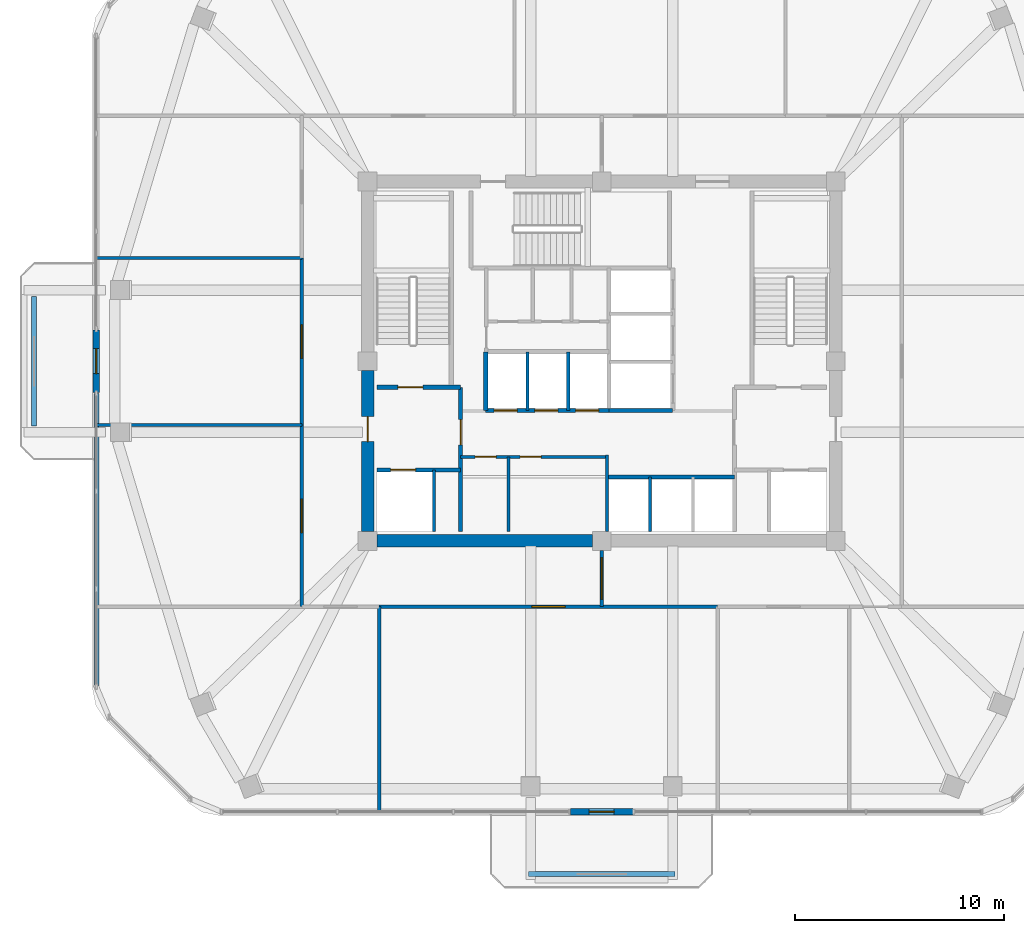
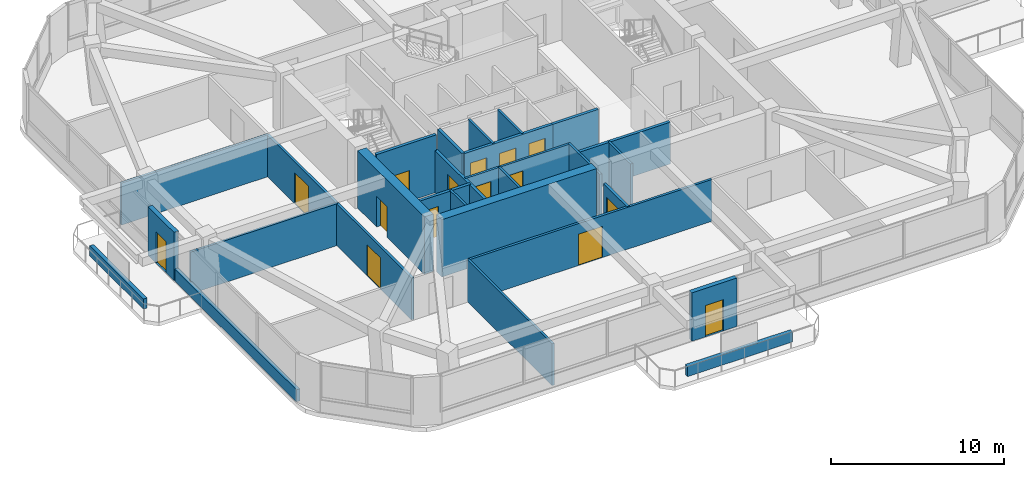
# One storey, part 7 of 13: 28 walls, 15 doors, 15 openings.
"""IFC4 building model written with IfcOpenShell, lengths in metres."""

from ifc_helpers import new_model, si_unit, derived_unit, direction, frame, frame_2d, origin, place, context, subcontext, project, spatial, rectangle, extrude, material, layer, layer_set, type_object, element, fill, save


model = new_model("IFC4")

# Units and contexts
model_context = context("Model", 3, precision=1e-05, world=origin(), true_north=direction((0.0, 1.0)))
body_context = subcontext(model_context, "Body", "Model", "MODEL_VIEW")
ifc_project = project(units=[si_unit("LENGTHUNIT", "METRE"), si_unit("AREAUNIT", "SQUARE_METRE"), si_unit("VOLUMEUNIT", "CUBIC_METRE"), si_unit("PLANEANGLEUNIT", "RADIAN"), si_unit("MASSUNIT", "GRAM", prefix="KILO"), derived_unit("THERMALTRANSMITTANCEUNIT", [(si_unit("POWERUNIT", "WATT"), 1), (si_unit("LENGTHUNIT", "METRE"), -2), (si_unit("THERMODYNAMICTEMPERATUREUNIT", "KELVIN"), -1)])], contexts=[model_context])

# Site, building, storey
site_placement = place(None, origin())
site = spatial("IfcSite", under=ifc_project, at=site_placement, CompositionType="ELEMENT")
building_placement = place(site_placement, origin())
building = spatial("IfcBuilding", under=site, at=building_placement, Name="Koralith Skygarden Medical Center", CompositionType="ELEMENT")
storey_placement = place(building_placement, frame((0.0, 0.0, 188.4599609375)))
storey = spatial("IfcBuildingStorey", under=building, at=storey_placement, Name="L48", CompositionType="ELEMENT", Elevation=188.4599609375)

# Wall, openings, doors
ifc_material_1 = material(Name="Gypsum Board Partition")
ifc_layer_1 = layer(ifc_material_1, 0.14990234375)
ifc_layer_set_1 = layer_set([ifc_layer_1], Name="Gypsum Board Partition")
wall_type_1 = type_object("IfcWallType", Name="Clinical Acoustic Partition 150", PredefinedType="PARTITIONING", material=ifc_layer_set_1)
wall_1_placement = place(storey_placement, frame((30.25, 21.320068359375, 0.0), z_axis=(0.0, 0.0, 1.0), x_axis=(1.0, 0.0, 0.0)))
wall_1 = element("IfcWall", 1, at=wall_1_placement, inside=storey, type_object=wall_type_1, Name="L48 Clinical Acoustic Partition 150 W-CORE-L48-FREED-LR-N", PredefinedType="PARTITIONING", context=body_context, shape_type="SweptSolid", body=[
    extrude(rectangle(XDim=7.0, YDim=0.14990234375, at=frame_2d((3.5, 0.0))), origin(), (0.0, 0.0, 1.0), 2.949951171875),
])
opening_1_placement = place(wall_1_placement, frame((0.699951171875, 0.0, 0.0)))
opening_1 = element("IfcOpeningElement", 2, at=opening_1_placement, cuts=wall_1, Name="Opening D-SUP", PredefinedType="OPENING", context=body_context, shape_type="SweptSolid", body=[
    extrude(rectangle(XDim=1.0, YDim=2.14990234375, at=frame_2d((0.5, 1.074951171875))), frame((0.0, 0.0849609375, 0.0), z_axis=(0.0, -1.0, 0.0), x_axis=(1.0, 0.0, 0.0)), (0.0, 0.0, 1.0), 0.169921875),
])
opening_2_placement = place(wall_1_placement, frame((2.85009765625, 0.0, 0.0)))
opening_2 = element("IfcOpeningElement", 3, at=opening_2_placement, cuts=wall_1, Name="Opening D-SUP", PredefinedType="OPENING", context=body_context, shape_type="SweptSolid", body=[
    extrude(rectangle(XDim=1.0, YDim=2.14990234375, at=frame_2d((0.5, 1.074951171875))), frame((0.0, 0.0849609375, 0.0), z_axis=(0.0, -1.0, 0.0), x_axis=(1.0, 0.0, 0.0)), (0.0, 0.0, 1.0), 0.169921875),
])
ifc_material_2 = material(Name="Aluminium 6063-T6", Category="aluminium")
door_type_1 = type_object("IfcDoorType", Name="Clinical Support Door D-SUP 1000", OperationType="NOTDEFINED", PredefinedType="DOOR", material=ifc_material_2)
door_1_placement = place(opening_1_placement, frame((1.0, 0.0, 0.0), z_axis=(0.0, 0.0, 1.0), x_axis=(-1.0, 0.0, 0.0)))
door_1 = element("IfcDoor", 4, at=door_1_placement, inside=storey, type_object=door_type_1, Name="L48 Medication Preparation Door", OperationType="SINGLE_SWING_LEFT", OverallHeight=2.14990234375, OverallWidth=1.0, PredefinedType="DOOR", context=body_context, shape_type="SweptSolid", body=[
    extrude(rectangle(XDim=1.0, YDim=2.14990234375, at=frame_2d((0.5, 1.074951171875))), frame((0.0, 0.02490234375, 0.0), z_axis=(0.0, -1.0, 0.0), x_axis=(1.0, 0.0, 0.0)), (0.0, 0.0, 1.0), 0.050048828125),
])
fill(opening_1, door_1)
door_2_placement = place(opening_2_placement, frame((1.0, 0.0, 0.0), z_axis=(0.0, 0.0, 1.0), x_axis=(-1.0, 0.0, 0.0)))
door_2 = element("IfcDoor", 5, at=door_2_placement, inside=storey, type_object=door_type_1, Name="L48 Telemetry Room Door", OperationType="SINGLE_SWING_RIGHT", OverallHeight=2.14990234375, OverallWidth=1.0, PredefinedType="DOOR", context=body_context, shape_type="SweptSolid", body=[
    extrude(rectangle(XDim=1.0, YDim=2.14990234375, at=frame_2d((0.5, 1.074951171875))), frame((0.0, 0.02490234375, 0.0), z_axis=(0.0, -1.0, 0.0), x_axis=(1.0, 0.0, 0.0)), (0.0, 0.0, 1.0), 0.050048828125),
])
fill(opening_2, door_2)

# Walls
wall_2_placement = place(storey_placement, frame((32.550048828125, 17.75, 0.0), z_axis=(0.0, 0.0, 1.0), x_axis=(0.0, 1.0, 0.0)))
element("IfcWall", 6, at=wall_2_placement, inside=storey, type_object=wall_type_1, Name="L48 Clinical Acoustic Partition 150 W-CORE-L48-FREED-LR-M", PredefinedType="PARTITIONING", context=body_context, shape_type="SweptSolid", body=[
    extrude(rectangle(XDim=3.570068359375, YDim=0.14990234375, at=frame_2d((1.78515625, 0.0))), origin(), (0.0, 0.0, 1.0), 2.949951171875),
])
wall_3_placement = place(storey_placement, frame((26.35595703125, 14.14990234375, 0.0), z_axis=(0.0, 0.0, 1.0), x_axis=(0.0, -1.0, 0.0)))
element("IfcWall", 7, at=wall_3_placement, inside=storey, type_object=wall_type_1, Name="L48 Clinical Acoustic Partition 150 W-AMPART-L48-S-1", PredefinedType="PARTITIONING", context=body_context, shape_type="SweptSolid", body=[
    extrude(rectangle(XDim=9.785888671875, YDim=0.14990234375, at=frame_2d((4.89306640625, 0.0))), origin(), (0.0, 0.0, 1.0), 2.949951171875),
])
for number, where, z_axis, x_axis, name in (
    (8, (22.64990234375, 22.844970703125, 0.0), (0.0, 0.0, 1.0), (-1.0, 0.0, 0.0), "L48 Clinical Acoustic Partition 150 W-AMPART-L48-W-1"),
    (9, (22.64990234375, 30.8349609375, 0.0), (0.0, 0.0, 1.0), (-1.0, 0.0, 0.0), "L48 Clinical Acoustic Partition 150 W-AMPART-L48-W-2"),
):
    element("IfcWall", number, at=place(storey_placement, frame(where, z_axis=z_axis, x_axis=x_axis)), inside=storey, type_object=wall_type_1, Name=name, PredefinedType="PARTITIONING", context=body_context, shape_type="SweptSolid", body=[
        extrude(rectangle(XDim=9.809814453125, YDim=0.14990234375, at=frame_2d((4.90478515625, 0.0))), origin(), (0.0, 0.0, 1.0), 2.949951171875),
    ])

# Wall, opening, door
ifc_layer_2 = layer(ifc_material_1, 0.1650390625)
ifc_layer_set_2 = layer_set([ifc_layer_2], Name="Gypsum Board Partition")
wall_type_2 = type_object("IfcWallType", Name="Clinical Corridor Partition 165", PredefinedType="PARTITIONING", material=ifc_layer_set_2)
wall_4_placement = place(storey_placement, frame((26.35595703125, 14.14990234375, 0.0), z_axis=(0.0, 0.0, 1.0), x_axis=(1.0, 0.0, 0.0)))
wall_4 = element("IfcWall", 10, at=wall_4_placement, inside=storey, type_object=wall_type_2, Name="L48 Clinical Corridor Partition 165 W-AMCOR-L48-S-2", PredefinedType="PARTITIONING", context=body_context, shape_type="SweptSolid", body=[
    extrude(rectangle(XDim=16.197998046875, YDim=0.1650390625, at=frame_2d((8.09912109375, 0.0))), origin(), (0.0, 0.0, 1.0), 2.949951171875),
])
opening_3_placement = place(wall_4_placement, frame((7.299072265625, 0.0, 0.0)))
opening_3 = element("IfcOpeningElement", 11, at=opening_3_placement, cuts=wall_4, Name="Opening D-DBL", PredefinedType="OPENING", context=body_context, shape_type="SweptSolid", body=[
    extrude(rectangle(XDim=1.60009765625, YDim=2.199951171875, at=frame_2d((0.800048828125, 1.10009765625))), frame((0.0, 0.092529296875, 0.0), z_axis=(0.0, -1.0, 0.0), x_axis=(1.0, 0.0, 0.0)), (0.0, 0.0, 1.0), 0.18505859375),
])
door_type_2 = type_object("IfcDoorType", Name="Double Clinical Suite Door D-DBL 1600", OperationType="NOTDEFINED", PredefinedType="DOOR", material=ifc_material_2)
door_3_placement = place(opening_3_placement, frame((1.60009765625, 0.0, 0.0), z_axis=(0.0, 0.0, 1.0), x_axis=(-1.0, 0.0, 0.0)))
door_3 = element("IfcDoor", 12, at=door_3_placement, inside=storey, type_object=door_type_2, Name="L48 Patient and Family Sky-Garden Lounge South Door", OperationType="DOUBLE_DOOR_SINGLE_SWING", OverallHeight=2.199951171875, OverallWidth=1.60009765625, PredefinedType="DOOR", context=body_context, shape_type="SweptSolid", body=[
    extrude(rectangle(XDim=1.60009765625, YDim=2.199951171875, at=frame_2d((0.800048828125, 1.10009765625))), frame((0.0, 0.02490234375, 0.0), z_axis=(0.0, -1.0, 0.0), x_axis=(1.0, 0.0, 0.0)), (0.0, 0.0, 1.0), 0.050048828125),
])
fill(opening_3, door_3)

wall_5_placement = place(storey_placement, frame((22.64990234375, 14.14990234375, 0.0), z_axis=(0.0, 0.0, 1.0), x_axis=(0.0, 1.0, 0.0)))
wall_5 = element("IfcWall", 13, at=wall_5_placement, inside=storey, type_object=wall_type_2, Name="L48 Clinical Corridor Partition 165 W-AMCOR-L48-W-1", PredefinedType="PARTITIONING", context=body_context, shape_type="SweptSolid", body=[
    extrude(rectangle(XDim=8.695068359375, YDim=0.1650390625, at=frame_2d((4.34765625, 0.0))), origin(), (0.0, 0.0, 1.0), 2.949951171875),
])
opening_4_placement = place(wall_5_placement, frame((3.547119140625, 0.0, 0.0)))
opening_4 = element("IfcOpeningElement", 14, at=opening_4_placement, cuts=wall_5, Name="Opening D-DBL", PredefinedType="OPENING", context=body_context, shape_type="SweptSolid", body=[
    extrude(rectangle(XDim=1.60009765625, YDim=2.199951171875, at=frame_2d((0.800048828125, 1.10009765625))), frame((0.0, 0.092529296875, 0.0), z_axis=(0.0, -1.0, 0.0), x_axis=(1.0, 0.0, 0.0)), (0.0, 0.0, 1.0), 0.18505859375),
])
door_4_placement = place(opening_4_placement, frame((1.60009765625, 0.0, 0.0), z_axis=(0.0, 0.0, 1.0), x_axis=(-1.0, 0.0, 0.0)))
door_4 = element("IfcDoor", 15, at=door_4_placement, inside=storey, type_object=door_type_2, Name="L48 Neurological Rehabilitation Exam Room Door", OperationType="DOUBLE_DOOR_SINGLE_SWING", OverallHeight=2.199951171875, OverallWidth=1.60009765625, PredefinedType="DOOR", context=body_context, shape_type="SweptSolid", body=[
    extrude(rectangle(XDim=1.60009765625, YDim=2.199951171875, at=frame_2d((0.800048828125, 1.10009765625))), frame((0.0, 0.02490234375, 0.0), z_axis=(0.0, -1.0, 0.0), x_axis=(1.0, 0.0, 0.0)), (0.0, 0.0, 1.0), 0.050048828125),
])
fill(opening_4, door_4)

wall_6_placement = place(storey_placement, frame((22.64990234375, 22.844970703125, 0.0), z_axis=(0.0, 0.0, 1.0), x_axis=(0.0, 1.0, 0.0)))
wall_6 = element("IfcWall", 16, at=wall_6_placement, inside=storey, type_object=wall_type_2, Name="L48 Clinical Corridor Partition 165 W-AMCOR-L48-W-2", PredefinedType="PARTITIONING", context=body_context, shape_type="SweptSolid", body=[
    extrude(rectangle(XDim=7.989990234375, YDim=0.1650390625, at=frame_2d((3.9951171875, 0.0))), origin(), (0.0, 0.0, 1.0), 2.949951171875),
])
opening_5_placement = place(wall_6_placement, frame((3.195068359375, 0.0, 0.0)))
opening_5 = element("IfcOpeningElement", 17, at=opening_5_placement, cuts=wall_6, Name="Opening D-DBL", PredefinedType="OPENING", context=body_context, shape_type="SweptSolid", body=[
    extrude(rectangle(XDim=1.60009765625, YDim=2.199951171875, at=frame_2d((0.800048828125, 1.10009765625))), frame((0.0, 0.092529296875, 0.0), z_axis=(0.0, -1.0, 0.0), x_axis=(1.0, 0.0, 0.0)), (0.0, 0.0, 1.0), 0.18505859375),
])
door_5_placement = place(opening_5_placement, frame((1.60009765625, 0.0, 0.0), z_axis=(0.0, 0.0, 1.0), x_axis=(-1.0, 0.0, 0.0)))
door_5 = element("IfcDoor", 18, at=door_5_placement, inside=storey, type_object=door_type_2, Name="L48 Patient Sky-Garden Day Lounge West Door", OperationType="DOUBLE_DOOR_SINGLE_SWING", OverallHeight=2.199951171875, OverallWidth=1.60009765625, PredefinedType="DOOR", context=body_context, shape_type="SweptSolid", body=[
    extrude(rectangle(XDim=1.60009765625, YDim=2.199951171875, at=frame_2d((0.800048828125, 1.10009765625))), frame((0.0, 0.02490234375, 0.0), z_axis=(0.0, -1.0, 0.0), x_axis=(1.0, 0.0, 0.0)), (0.0, 0.0, 1.0), 0.050048828125),
])
fill(opening_5, door_5)

ifc_layer_3 = layer(ifc_material_1, 0.199951171875)
ifc_layer_set_3 = layer_set([ifc_layer_3], Name="Gypsum Board Partition")
wall_type_3 = type_object("IfcWallType", Name="Fire Shaft Wall 200", PredefinedType="SOLIDWALL", material=ifc_layer_set_3)
wall_7_placement = place(storey_placement, frame((26.25, 20.699951171875, 0.0), z_axis=(0.0, 0.0, 1.0), x_axis=(1.0, 0.0, 0.0)))
wall_7 = element("IfcWall", 19, at=wall_7_placement, inside=storey, type_object=wall_type_3, Name="L48 Fire Shaft Wall 200 W-CORE-L48-FF1-N", PredefinedType="SOLIDWALL", context=body_context, shape_type="SweptSolid", body=[
    extrude(rectangle(XDim=4.0, YDim=0.199951171875, at=frame_2d((2.0, 0.0))), origin(), (0.0, 0.0, 1.0), 2.949951171875),
])
opening_6_placement = place(wall_7_placement, frame((0.64990234375, 0.0, 0.0)))
opening_6 = element("IfcOpeningElement", 20, at=opening_6_placement, cuts=wall_7, Name="Opening LD-FF", PredefinedType="OPENING", context=body_context, shape_type="SweptSolid", body=[
    extrude(rectangle(XDim=1.199951171875, YDim=2.14990234375, at=frame_2d((0.60009765625, 1.074951171875))), frame((0.0, 0.10986328125, 0.0), z_axis=(0.0, -1.0, 0.0), x_axis=(1.0, 0.0, 0.0)), (0.0, 0.0, 1.0), 0.219970703125),
])
ifc_material_3 = material(Name="Steel ASTM A500 Grade C", Category="steel")
door_type_3 = type_object("IfcDoorType", Name="Fire Lift Sliding Landing Door LD-FF 1200", OperationType="NOTDEFINED", PredefinedType="DOOR", material=ifc_material_3)
door_6_placement = place(opening_6_placement, origin())
door_6 = element("IfcDoor", 21, at=door_6_placement, inside=storey, type_object=door_type_3, Name="L48 Fire Service Elevator FF1 Landing Door", OperationType="SLIDING_TO_LEFT", OverallHeight=2.14990234375, OverallWidth=1.199951171875, PredefinedType="DOOR", context=body_context, shape_type="SweptSolid", body=[
    extrude(rectangle(XDim=1.199951171875, YDim=2.14990234375, at=frame_2d((0.60009765625, 1.074951171875))), frame((0.0, 0.02490234375, 0.0), z_axis=(0.0, -1.0, 0.0), x_axis=(1.0, 0.0, 0.0)), (0.0, 0.0, 1.0), 0.050048828125),
])
fill(opening_6, door_6)

wall_8_placement = place(storey_placement, frame((30.25, 17.75, 0.0), z_axis=(0.0, 0.0, 1.0), x_axis=(0.0, 1.0, 0.0)))
wall_8 = element("IfcWall", 22, at=wall_8_placement, inside=storey, type_object=wall_type_3, Name="L48 Fire Shaft Wall 200 W-CORE-L48-FSAEW-E", PredefinedType="SOLIDWALL", context=body_context, shape_type="SweptSolid", body=[
    extrude(rectangle(XDim=6.89990234375, YDim=0.199951171875, at=frame_2d((3.449951171875, 0.0))), origin(), (0.0, 0.0, 1.0), 2.949951171875),
])
opening_7_placement = place(wall_8_placement, frame((4.14990234375, 0.0, 0.0)))
opening_7 = element("IfcOpeningElement", 23, at=opening_7_placement, cuts=wall_8, Name="Opening D-ST60", PredefinedType="OPENING", context=body_context, shape_type="SweptSolid", body=[
    extrude(rectangle(XDim=1.199951171875, YDim=2.14990234375, at=frame_2d((0.60009765625, 1.074951171875))), frame((0.0, 0.10986328125, 0.0), z_axis=(0.0, -1.0, 0.0), x_axis=(1.0, 0.0, 0.0)), (0.0, 0.0, 1.0), 0.219970703125),
])
door_type_4 = type_object("IfcDoorType", Name="Smokeproof Stair Fire Door FD60S 1200", OperationType="NOTDEFINED", PredefinedType="DOOR", material=ifc_material_3)
door_7_placement = place(opening_7_placement, origin())
door_7 = element("IfcDoor", 24, at=door_7_placement, inside=storey, type_object=door_type_4, Name="L48 West Firefighting Lobby Inner Fire Door", OperationType="SINGLE_SWING_LEFT", OverallHeight=2.14990234375, OverallWidth=1.199951171875, PredefinedType="DOOR", context=body_context, shape_type="SweptSolid", body=[
    extrude(rectangle(XDim=1.199951171875, YDim=2.14990234375, at=frame_2d((0.60009765625, 1.074951171875))), frame((0.0, 0.02490234375, 0.0), z_axis=(0.0, -1.0, 0.0), x_axis=(1.0, 0.0, 0.0)), (0.0, 0.0, 1.0), 0.050048828125),
])
fill(opening_7, door_7)

# Wall
wall_9_placement = place(storey_placement, frame((37.25, 20.360107421875, 0.0), z_axis=(0.0, 0.0, 1.0), x_axis=(1.0, 0.0, 0.0)))
element("IfcWall", 25, at=wall_9_placement, inside=storey, type_object=wall_type_3, Name="L48 Fire Shaft Wall 200 W-CORE-L48-PM-N", PredefinedType="SOLIDWALL", context=body_context, shape_type="SweptSolid", body=[
    extrude(rectangle(XDim=6.10009765625, YDim=0.199951171875, at=frame_2d((3.050048828125, 0.0))), origin(), (0.0, 0.0, 1.0), 2.949951171875),
])

# Wall, openings, doors
wall_10_placement = place(storey_placement, frame((31.449951171875, 23.5400390625, 0.0), z_axis=(0.0, 0.0, 1.0), x_axis=(1.0, 0.0, 0.0)))
wall_10 = element("IfcWall", 26, at=wall_10_placement, inside=storey, type_object=wall_type_3, Name="L48 Fire Shaft Wall 200 W-CORE-L48-PH-S", PredefinedType="SOLIDWALL", context=body_context, shape_type="SweptSolid", body=[
    extrude(rectangle(XDim=5.900146484375, YDim=0.199951171875, at=frame_2d((2.9501953125, 0.0))), origin(), (0.0, 0.0, 1.0), 2.949951171875),
])
opening_8_placement = place(wall_10_placement, frame((0.39990234375, 0.0, 0.0)))
opening_8 = element("IfcOpeningElement", 27, at=opening_8_placement, cuts=wall_10, Name="Opening LD-P", PredefinedType="OPENING", context=body_context, shape_type="SweptSolid", body=[
    extrude(rectangle(XDim=1.10009765625, YDim=2.14990234375, at=frame_2d((0.550048828125, 1.074951171875))), frame((0.0, 0.10986328125, 0.0), z_axis=(0.0, -1.0, 0.0), x_axis=(1.0, 0.0, 0.0)), (0.0, 0.0, 1.0), 0.219970703125),
])
opening_9_placement = place(wall_10_placement, frame((2.35009765625, 0.0, 0.0)))
opening_9 = element("IfcOpeningElement", 28, at=opening_9_placement, cuts=wall_10, Name="Opening LD-P", PredefinedType="OPENING", context=body_context, shape_type="SweptSolid", body=[
    extrude(rectangle(XDim=1.10009765625, YDim=2.14990234375, at=frame_2d((0.550048828125, 1.074951171875))), frame((0.0, 0.10986328125, 0.0), z_axis=(0.0, -1.0, 0.0), x_axis=(1.0, 0.0, 0.0)), (0.0, 0.0, 1.0), 0.219970703125),
])
opening_10_placement = place(wall_10_placement, frame((4.300048828125, 0.0, 0.0)))
opening_10 = element("IfcOpeningElement", 29, at=opening_10_placement, cuts=wall_10, Name="Opening LD-P", PredefinedType="OPENING", context=body_context, shape_type="SweptSolid", body=[
    extrude(rectangle(XDim=1.10009765625, YDim=2.14990234375, at=frame_2d((0.550048828125, 1.074951171875))), frame((0.0, 0.10986328125, 0.0), z_axis=(0.0, -1.0, 0.0), x_axis=(1.0, 0.0, 0.0)), (0.0, 0.0, 1.0), 0.219970703125),
])
door_type_5 = type_object("IfcDoorType", Name="Passenger Lift Sliding Landing Door LD-P 1100", OperationType="NOTDEFINED", PredefinedType="DOOR", material=ifc_material_3)
door_8_placement = place(opening_8_placement, origin())
door_8 = element("IfcDoor", 30, at=door_8_placement, inside=storey, type_object=door_type_5, Name="L48 Passenger Elevator PH1 Landing Door", OperationType="SLIDING_TO_RIGHT", OverallHeight=2.14990234375, OverallWidth=1.10009765625, PredefinedType="DOOR", context=body_context, shape_type="SweptSolid", body=[
    extrude(rectangle(XDim=1.10009765625, YDim=2.14990234375, at=frame_2d((0.550048828125, 1.074951171875))), frame((0.0, 0.02490234375, 0.0), z_axis=(0.0, -1.0, 0.0), x_axis=(1.0, 0.0, 0.0)), (0.0, 0.0, 1.0), 0.050048828125),
])
fill(opening_8, door_8)
door_9_placement = place(opening_9_placement, origin())
door_9 = element("IfcDoor", 31, at=door_9_placement, inside=storey, type_object=door_type_5, Name="L48 Passenger Elevator PH2 Landing Door", OperationType="SLIDING_TO_RIGHT", OverallHeight=2.14990234375, OverallWidth=1.10009765625, PredefinedType="DOOR", context=body_context, shape_type="SweptSolid", body=[
    extrude(rectangle(XDim=1.10009765625, YDim=2.14990234375, at=frame_2d((0.550048828125, 1.074951171875))), frame((0.0, 0.02490234375, 0.0), z_axis=(0.0, -1.0, 0.0), x_axis=(1.0, 0.0, 0.0)), (0.0, 0.0, 1.0), 0.050048828125),
])
fill(opening_9, door_9)
door_10_placement = place(opening_10_placement, origin())
door_10 = element("IfcDoor", 32, at=door_10_placement, inside=storey, type_object=door_type_5, Name="L48 Passenger Elevator PH3 Landing Door", OperationType="SLIDING_TO_RIGHT", OverallHeight=2.14990234375, OverallWidth=1.10009765625, PredefinedType="DOOR", context=body_context, shape_type="SweptSolid", body=[
    extrude(rectangle(XDim=1.10009765625, YDim=2.14990234375, at=frame_2d((0.550048828125, 1.074951171875))), frame((0.0, 0.02490234375, 0.0), z_axis=(0.0, -1.0, 0.0), x_axis=(1.0, 0.0, 0.0)), (0.0, 0.0, 1.0), 0.050048828125),
])
fill(opening_10, door_10)

# Walls
wall_11_placement = place(storey_placement, frame((31.449951171875, 23.5400390625, 0.0), z_axis=(0.0, 0.0, 1.0), x_axis=(0.0, 1.0, 0.0)))
element("IfcWall", 33, at=wall_11_placement, inside=storey, type_object=wall_type_3, Name="L48 Fire Shaft Wall 200 W-CORE-L48-PH-W", PredefinedType="SOLIDWALL", context=body_context, shape_type="SweptSolid", body=[
    extrude(rectangle(XDim=2.81005859375, YDim=0.199951171875, at=frame_2d((1.405029296875, 0.0))), origin(), (0.0, 0.0, 1.0), 2.949951171875),
])
wall_12_placement = place(storey_placement, frame((37.35009765625, 23.5400390625, 0.0), z_axis=(0.0, 0.0, 1.0), x_axis=(1.0, 0.0, 0.0)))
element("IfcWall", 34, at=wall_12_placement, inside=storey, type_object=wall_type_3, Name="L48 Fire Shaft Wall 200 W-CORE-L48-SV-S", PredefinedType="SOLIDWALL", context=body_context, shape_type="SweptSolid", body=[
    extrude(rectangle(XDim=3.0498046875, YDim=0.199951171875, at=frame_2d((1.52490234375, 0.0))), origin(), (0.0, 0.0, 1.0), 2.949951171875),
])

# Wall, opening, door
ifc_layer_4 = layer(ifc_material_1, 0.179931640625)
ifc_layer_set_4 = layer_set([ifc_layer_4], Name="Gypsum Board Partition")
wall_type_4 = type_object("IfcWallType", Name="Group I-2 Smoke Barrier Wall 180", PredefinedType="PARTITIONING", material=ifc_layer_set_4)
wall_13_placement = place(storey_placement, frame((37.0, 14.14990234375, 0.0), z_axis=(0.0, 0.0, 1.0), x_axis=(0.0, 1.0, 0.0)))
wall_13 = element("IfcWall", 35, at=wall_13_placement, inside=storey, type_object=wall_type_4, Name="L48 Group I-2 Smoke Barrier Wall 180 W-SMK-L48-S", PredefinedType="PARTITIONING", context=body_context, shape_type="SweptSolid", body=[
    extrude(rectangle(XDim=2.7001953125, YDim=0.179931640625, at=frame_2d((1.35009765625, 0.0))), origin(), (0.0, 0.0, 1.0), 2.949951171875),
])
opening_11_placement = place(wall_13_placement, frame((0.35009765625, 0.0, 0.0)))
opening_11 = element("IfcOpeningElement", 36, at=opening_11_placement, cuts=wall_13, Name="Opening D-SMK", PredefinedType="OPENING", context=body_context, shape_type="SweptSolid", body=[
    extrude(rectangle(XDim=2.0, YDim=2.199951171875, at=frame_2d((1.0, 1.10009765625))), frame((0.0, 0.099853515625, 0.0), z_axis=(0.0, -1.0, 0.0), x_axis=(1.0, 0.0, 0.0)), (0.0, 0.0, 1.0), 0.199951171875),
])
door_type_6 = type_object("IfcDoorType", Name="Cross-Corridor Double Smoke Door FD60S 2000", OperationType="NOTDEFINED", PredefinedType="DOOR", material=ifc_material_3)
door_11_placement = place(opening_11_placement, frame((2.0, 0.0, 0.0), z_axis=(0.0, 0.0, 1.0), x_axis=(-1.0, 0.0, 0.0)))
door_11 = element("IfcDoor", 37, at=door_11_placement, inside=storey, type_object=door_type_6, Name="L48 S Smoke Compartment Cross-Corridor Door", OperationType="DOUBLE_DOOR_SINGLE_SWING", OverallHeight=2.199951171875, OverallWidth=2.0, PredefinedType="DOOR", context=body_context, shape_type="SweptSolid", body=[
    extrude(rectangle(XDim=2.0, YDim=2.199951171875, at=frame_2d((1.0, 1.10009765625))), frame((0.0, 0.02490234375, 0.0), z_axis=(0.0, -1.0, 0.0), x_axis=(1.0, 0.0, 0.0)), (0.0, 0.0, 1.0), 0.050048828125),
])
fill(opening_11, door_11)

# Wall
ifc_material_4 = material(Name="Warm Oolitic Limestone Cladding", Category="masonry")
ifc_layer_5 = layer(ifc_material_4, 0.239990234375)
ifc_layer_set_5 = layer_set([ifc_layer_5], Name="Warm Oolitic Limestone Cladding")
wall_type_5 = type_object("IfcWallType", Name="Limestone Spandrel Sill Backup Wall 240", PredefinedType="SOLIDWALL", material=ifc_layer_set_5)
wall_14_placement = place(storey_placement, frame((12.820068359375, 24.360107421875, 0.0), z_axis=(0.0, 0.0, 1.0), x_axis=(0.0, -1.0, 0.0)))
element("IfcWall", 38, at=wall_14_placement, inside=storey, type_object=wall_type_5, Name="L48 Sill Spandrel W-R", PredefinedType="SOLIDWALL", context=body_context, shape_type="SweptSolid", body=[
    extrude(rectangle(XDim=14.0400390625, YDim=0.239990234375, at=frame_2d((7.02001953125, 0.0))), origin(), (0.0, 0.0, 1.0), 0.85009765625),
])

# Wall, opening, door
ifc_layer_6 = layer(ifc_material_4, 0.300048828125)
ifc_layer_set_6 = layer_set([ifc_layer_6], Name="Warm Oolitic Limestone Cladding")
wall_type_6 = type_object("IfcWallType", Name="Oolitic Limestone Insulated Facade Wall 300", PredefinedType="SOLIDWALL", material=ifc_layer_set_6)
wall_15_placement = place(storey_placement, frame((35.5, 4.344970703125, 0.0), z_axis=(0.0, 0.0, 1.0), x_axis=(1.0, 0.0, 0.0)))
wall_15 = element("IfcWall", 39, at=wall_15_placement, inside=storey, type_object=wall_type_6, Name="L48 Terrace Portal Wall S", PredefinedType="SOLIDWALL", context=body_context, shape_type="SweptSolid", body=[
    extrude(rectangle(XDim=3.0, YDim=0.300048828125, at=frame_2d((1.5, 0.0))), origin(), (0.0, 0.0, 1.0), 3.41015625),
])
opening_12_placement = place(wall_15_placement, frame((0.89990234375, 0.0, 0.0)))
opening_12 = element("IfcOpeningElement", 40, at=opening_12_placement, cuts=wall_15, Name="Opening D-BAL", PredefinedType="OPENING", context=body_context, shape_type="SweptSolid", body=[
    extrude(rectangle(XDim=1.199951171875, YDim=2.199951171875, at=frame_2d((0.60009765625, 1.10009765625))), frame((0.0, 0.159912109375, 0.0), z_axis=(0.0, -1.0, 0.0), x_axis=(1.0, 0.0, 0.0)), (0.0, 0.0, 1.0), 0.320068359375),
])
door_type_7 = type_object("IfcDoorType", Name="Planted Balcony Glazed Terrace Door D-BAL 1200", OperationType="NOTDEFINED", PredefinedType="DOOR", material=ifc_material_2)
door_12_placement = place(opening_12_placement, origin())
door_12 = element("IfcDoor", 41, at=door_12_placement, inside=storey, type_object=door_type_7, Name="L48 S Outdoor Terrace Access Door", OperationType="SINGLE_SWING_LEFT", OverallHeight=2.199951171875, OverallWidth=1.199951171875, PredefinedType="DOOR", context=body_context, shape_type="SweptSolid", body=[
    extrude(rectangle(XDim=1.199951171875, YDim=2.199951171875, at=frame_2d((0.60009765625, 1.10009765625))), frame((0.0, 0.02490234375, 0.0), z_axis=(0.0, -1.0, 0.0), x_axis=(1.0, 0.0, 0.0)), (0.0, 0.0, 1.0), 0.050048828125),
])
fill(opening_12, door_12)

wall_16_placement = place(storey_placement, frame((12.820068359375, 27.39990234375, 0.0), z_axis=(0.0, 0.0, 1.0), x_axis=(0.0, -1.0, 0.0)))
wall_16 = element("IfcWall", 42, at=wall_16_placement, inside=storey, type_object=wall_type_6, Name="L48 Terrace Portal Wall W", PredefinedType="SOLIDWALL", context=body_context, shape_type="SweptSolid", body=[
    extrude(rectangle(XDim=3.0, YDim=0.300048828125, at=frame_2d((1.5, 0.0))), origin(), (0.0, 0.0, 1.0), 3.41015625),
])
opening_13_placement = place(wall_16_placement, frame((0.89990234375, 0.0, 0.0)))
opening_13 = element("IfcOpeningElement", 43, at=opening_13_placement, cuts=wall_16, Name="Opening D-BAL", PredefinedType="OPENING", context=body_context, shape_type="SweptSolid", body=[
    extrude(rectangle(XDim=1.199951171875, YDim=2.199951171875, at=frame_2d((0.60009765625, 1.10009765625))), frame((0.0, 0.159912109375, 0.0), z_axis=(0.0, -1.0, 0.0), x_axis=(1.0, 0.0, 0.0)), (0.0, 0.0, 1.0), 0.320068359375),
])
door_13_placement = place(opening_13_placement, origin())
door_13 = element("IfcDoor", 44, at=door_13_placement, inside=storey, type_object=door_type_7, Name="L48 W Outdoor Terrace Access Door", OperationType="SINGLE_SWING_LEFT", OverallHeight=2.199951171875, OverallWidth=1.199951171875, PredefinedType="DOOR", context=body_context, shape_type="SweptSolid", body=[
    extrude(rectangle(XDim=1.199951171875, YDim=2.199951171875, at=frame_2d((0.60009765625, 1.10009765625))), frame((0.0, 0.02490234375, 0.0), z_axis=(0.0, -1.0, 0.0), x_axis=(1.0, 0.0, 0.0)), (0.0, 0.0, 1.0), 0.050048828125),
])
fill(opening_13, door_13)

# Walls
ifc_layer_7 = layer(ifc_material_1, 0.14990234375)
ifc_layer_set_7 = layer_set([ifc_layer_7], Name="Gypsum Board Partition")
wall_type_7 = type_object("IfcWallType", Name="Shaft Partition Wall 150", PredefinedType="PARTITIONING", material=ifc_layer_set_7)
wall_17_placement = place(storey_placement, frame((28.969970703125, 17.75, 0.0), z_axis=(0.0, 0.0, 1.0), x_axis=(0.0, 1.0, 0.0)))
element("IfcWall", 45, at=wall_17_placement, inside=storey, type_object=wall_type_7, Name="L48 Shaft Partition Wall 150 W-CORE-L48-RSRW-DIV", PredefinedType="PARTITIONING", context=body_context, shape_type="SweptSolid", body=[
    extrude(rectangle(XDim=2.949951171875, YDim=0.14990234375, at=frame_2d((1.47509765625, 0.0))), origin(), (0.0, 0.0, 1.0), 2.949951171875),
])
wall_18_placement = place(storey_placement, frame((39.320068359375, 17.75, 0.0), z_axis=(0.0, 0.0, 1.0), x_axis=(0.0, 1.0, 0.0)))
element("IfcWall", 46, at=wall_18_placement, inside=storey, type_object=wall_type_7, Name="L48 Shaft Partition Wall 150 W-CORE-L48-PM-D1", PredefinedType="PARTITIONING", context=body_context, shape_type="SweptSolid", body=[
    extrude(rectangle(XDim=2.610107421875, YDim=0.14990234375, at=frame_2d((1.30517578125, 0.0))), origin(), (0.0, 0.0, 1.0), 2.949951171875),
])
wall_19_placement = place(storey_placement, frame((37.25, 17.75, 0.0), z_axis=(0.0, 0.0, 1.0), x_axis=(0.0, 1.0, 0.0)))
element("IfcWall", 47, at=wall_19_placement, inside=storey, type_object=wall_type_7, Name="L48 Shaft Partition Wall 150 W-CORE-L48-PL-PM-SEP", PredefinedType="PARTITIONING", context=body_context, shape_type="SweptSolid", body=[
    extrude(rectangle(XDim=3.64990234375, YDim=0.14990234375, at=frame_2d((1.824951171875, 0.0))), origin(), (0.0, 0.0, 1.0), 2.949951171875),
])
for number, where, z_axis, x_axis, name in (
    (48, (33.449951171875, 23.5400390625, 0.0), (0.0, 0.0, 1.0), (0.0, 1.0, 0.0), "L48 Shaft Partition Wall 150 W-CORE-L48-PH-D1"),
    (49, (35.39990234375, 23.5400390625, 0.0), (0.0, 0.0, 1.0), (0.0, 1.0, 0.0), "L48 Shaft Partition Wall 150 W-CORE-L48-PH-D2"),
):
    element("IfcWall", number, at=place(storey_placement, frame(where, z_axis=z_axis, x_axis=x_axis)), inside=storey, type_object=wall_type_7, Name=name, PredefinedType="PARTITIONING", context=body_context, shape_type="SweptSolid", body=[
        extrude(rectangle(XDim=2.81005859375, YDim=0.14990234375, at=frame_2d((1.405029296875, 0.0))), origin(), (0.0, 0.0, 1.0), 2.949951171875),
    ])
ifc_material_5 = material(Name="Precast concrete C40/50", Category="concrete")
ifc_layer_8 = layer(ifc_material_5, 0.25)
ifc_layer_set_8 = layer_set([ifc_layer_8], Name="Precast concrete C40/50")
wall_type_8 = type_object("IfcWallType", Name="Structural Concrete Balcony Planter Kerb 250", PredefinedType="PARAPET", material=ifc_layer_set_8)
wall_20_placement = place(storey_placement, frame((33.5, 1.364990234375, 0.0), z_axis=(0.0, 0.0, 1.0), x_axis=(1.0, 0.0, 0.0)))
element("IfcWall", 50, at=wall_20_placement, inside=storey, type_object=wall_type_8, Name="L48 S Structural Tree PLANTER Box", PredefinedType="PARAPET", context=body_context, shape_type="SweptSolid", body=[
    extrude(rectangle(XDim=7.0, YDim=0.25, at=frame_2d((3.5, 0.0))), origin(), (0.0, 0.0, 1.0), 0.719970703125),
])
wall_21_placement = place(storey_placement, frame((9.840087890625, 22.800048828125, 0.0), z_axis=(0.0, 0.0, 1.0), x_axis=(0.0, 1.0, 0.0)))
element("IfcWall", 51, at=wall_21_placement, inside=storey, type_object=wall_type_8, Name="L48 W Structural Tree PLANTER Box", PredefinedType="PARAPET", context=body_context, shape_type="SweptSolid", body=[
    extrude(rectangle(XDim=6.199951171875, YDim=0.25, at=frame_2d((3.10009765625, 0.0))), origin(), (0.0, 0.0, 1.0), 0.719970703125),
])

# Wall, opening, door
ifc_material_6 = material(Name="Concrete C45/55", Category="concrete")
ifc_layer_9 = layer(ifc_material_6, 0.199951171875)
ifc_layer_set_9 = layer_set([ifc_layer_9], Name="Concrete C45/55")
wall_type_9 = type_object("IfcWallType", Name="Structural Stair Shaft Wall 200", PredefinedType="SHEAR", material=ifc_layer_set_9)
wall_22_placement = place(storey_placement, frame((26.25, 24.64990234375, 0.0), z_axis=(0.0, 0.0, 1.0), x_axis=(1.0, 0.0, 0.0)))
wall_22 = element("IfcWall", 52, at=wall_22_placement, inside=storey, type_object=wall_type_9, Name="L48 Structural Stair Shaft Wall 200 W-CORE-L48-ST1-S", PredefinedType="SHEAR", context=body_context, shape_type="SweptSolid", body=[
    extrude(rectangle(XDim=4.0, YDim=0.199951171875, at=frame_2d((2.0, 0.0))), origin(), (0.0, 0.0, 1.0), 4.0400390625),
])
opening_14_placement = place(wall_22_placement, frame((1.0, 0.0, 0.0)))
opening_14 = element("IfcOpeningElement", 53, at=opening_14_placement, cuts=wall_22, Name="Opening D-ST60", PredefinedType="OPENING", context=body_context, shape_type="SweptSolid", body=[
    extrude(rectangle(XDim=1.199951171875, YDim=2.14990234375, at=frame_2d((0.60009765625, 1.074951171875))), frame((0.0, 0.10986328125, 0.0), z_axis=(0.0, -1.0, 0.0), x_axis=(1.0, 0.0, 0.0)), (0.0, 0.0, 1.0), 0.219970703125),
])
door_14_placement = place(opening_14_placement, origin())
door_14 = element("IfcDoor", 54, at=door_14_placement, inside=storey, type_object=door_type_4, Name="L48 Exit Stair ST1 Fire Door", OperationType="SINGLE_SWING_LEFT", OverallHeight=2.14990234375, OverallWidth=1.199951171875, PredefinedType="DOOR", context=body_context, shape_type="SweptSolid", body=[
    extrude(rectangle(XDim=1.199951171875, YDim=2.14990234375, at=frame_2d((0.60009765625, 1.074951171875))), frame((0.0, 0.02490234375, 0.0), z_axis=(0.0, -1.0, 0.0), x_axis=(1.0, 0.0, 0.0)), (0.0, 0.0, 1.0), 0.050048828125),
])
fill(opening_14, door_14)

# Wall
ifc_material_7 = material(Name="Concrete C55/67", Category="concrete")
ifc_layer_10 = layer(ifc_material_7, 0.60009765625)
ifc_layer_set_10 = layer_set([ifc_layer_10], Name="Concrete C55/67")
wall_type_10 = type_object("IfcWallType", Name="Upper Core Shear Wall 600", PredefinedType="SHEAR", material=ifc_layer_set_10)
wall_23_placement = place(storey_placement, frame((26.2451171875, 17.300048828125, 0.0), z_axis=(0.0, 0.0, 1.0), x_axis=(1.0, 0.0, 0.0)))
element("IfcWall", 55, at=wall_23_placement, inside=storey, type_object=wall_type_10, Name="L48 Core Shear Wall Segment 1", PredefinedType="SHEAR", context=body_context, shape_type="SweptSolid", body=[
    extrude(rectangle(XDim=10.309814453125, YDim=0.60009765625, at=frame_2d((5.15478515625, 0.0))), origin(), (0.0, 0.0, 1.0), 4.0400390625),
])

# Wall, opening, door
wall_24_placement = place(storey_placement, frame((25.800048828125, 25.455078125, 0.0), z_axis=(0.0, 0.0, 1.0), x_axis=(0.0, -1.0, 0.0)))
wall_24 = element("IfcWall", 56, at=wall_24_placement, inside=storey, type_object=wall_type_10, Name="L48 Core Shear Wall Segment 8", PredefinedType="SHEAR", context=body_context, shape_type="SweptSolid", body=[
    extrude(rectangle(XDim=7.7099609375, YDim=0.60009765625, at=frame_2d((3.85498046875, 0.0))), origin(), (0.0, 0.0, 1.0), 4.0400390625),
])
opening_15_placement = place(wall_24_placement, frame((2.205078125, 0.0, 0.0)))
opening_15 = element("IfcOpeningElement", 57, at=opening_15_placement, cuts=wall_24, Name="Opening D-ST60", PredefinedType="OPENING", context=body_context, shape_type="SweptSolid", body=[
    extrude(rectangle(XDim=1.199951171875, YDim=2.14990234375, at=frame_2d((0.60009765625, 1.074951171875))), frame((0.0, 0.31005859375, 0.0), z_axis=(0.0, -1.0, 0.0), x_axis=(1.0, 0.0, 0.0)), (0.0, 0.0, 1.0), 0.6201171875),
])
door_15_placement = place(opening_15_placement, frame((1.199951171875, 0.0, 0.0), z_axis=(0.0, 0.0, 1.0), x_axis=(-1.0, 0.0, 0.0)))
door_15 = element("IfcDoor", 58, at=door_15_placement, inside=storey, type_object=door_type_4, Name="L48 West Corridor to Firefighting Lobby Door", OperationType="SINGLE_SWING_LEFT", OverallHeight=2.14990234375, OverallWidth=1.199951171875, PredefinedType="DOOR", context=body_context, shape_type="SweptSolid", body=[
    extrude(rectangle(XDim=1.199951171875, YDim=2.14990234375, at=frame_2d((0.60009765625, 1.074951171875))), frame((0.0, 0.02490234375, 0.0), z_axis=(0.0, -1.0, 0.0), x_axis=(1.0, 0.0, 0.0)), (0.0, 0.0, 1.0), 0.050048828125),
])
fill(opening_15, door_15)

save(model, "model.ifc")
